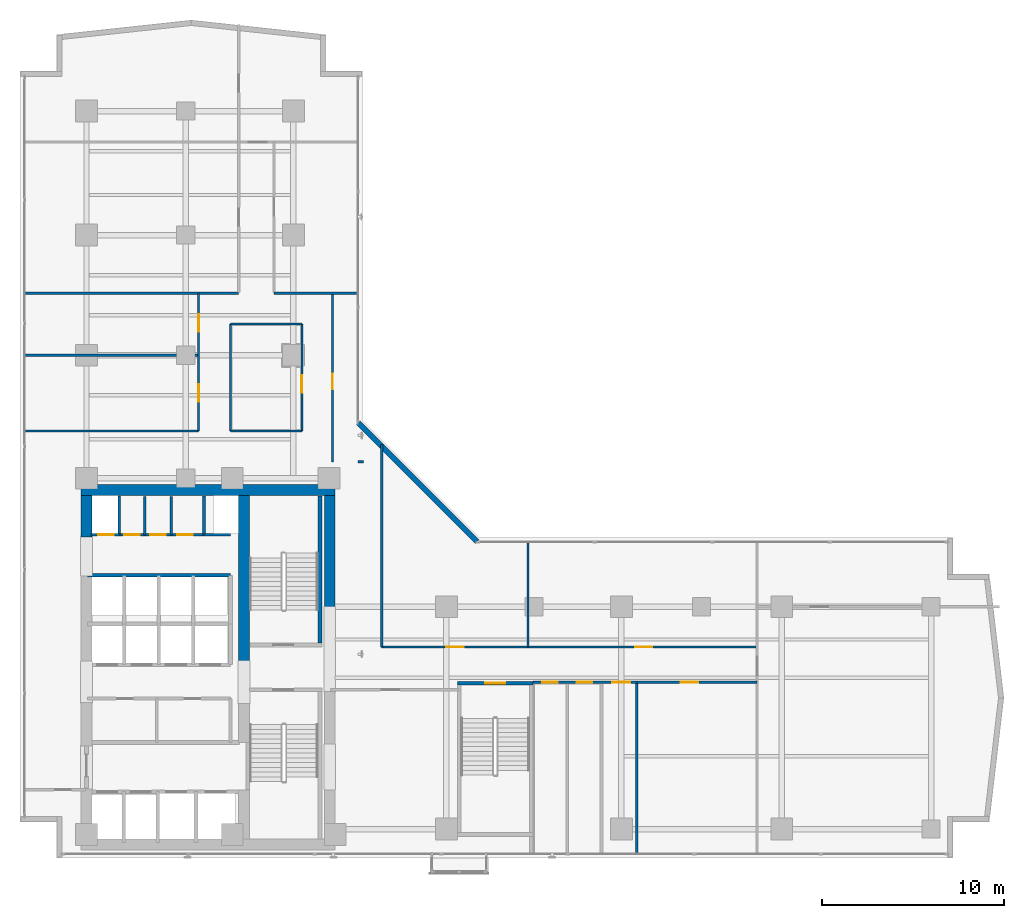
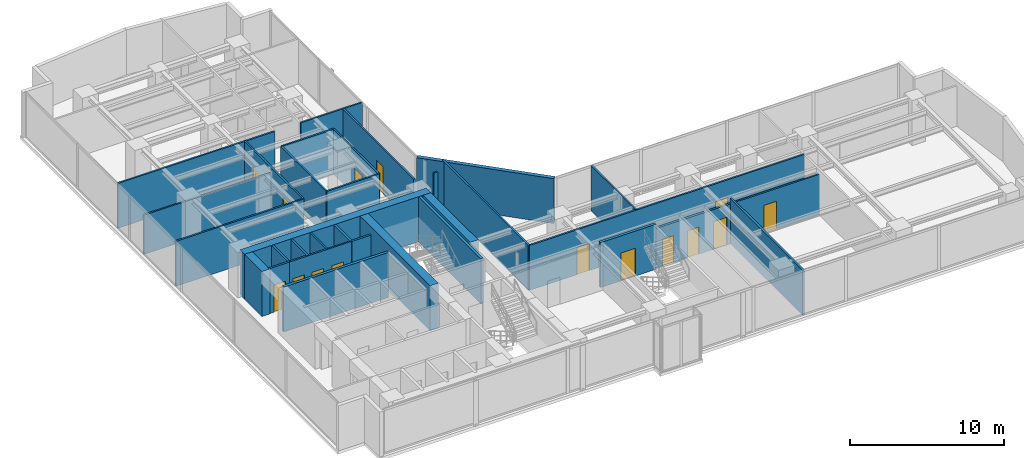
# One storey, part 20 of 24: 32 walls, 15 doors, 15 openings.
"""IFC4 building model written with IfcOpenShell, lengths in metres."""

from ifc_helpers import new_model, si_unit, direction, frame, frame_2d, origin, place, context, subcontext, project, spatial, rectangle, extrude, material, layer, layer_set, type_object, element, fill, save


model = new_model("IFC4")

# Units and contexts
model_context = context("Model", 3, precision=1e-05, world=origin(), true_north=direction((0.0, 1.0)))
body_context = subcontext(model_context, "Body", "Model", "MODEL_VIEW")
ifc_project = project(units=[si_unit("LENGTHUNIT", "METRE"), si_unit("AREAUNIT", "SQUARE_METRE"), si_unit("VOLUMEUNIT", "CUBIC_METRE"), si_unit("PLANEANGLEUNIT", "RADIAN"), si_unit("MASSUNIT", "GRAM", prefix="KILO")], contexts=[model_context])

# Site, building, storey
site_placement = place(None, origin())
site = spatial("IfcSite", under=ifc_project, at=site_placement, CompositionType="ELEMENT")
building_placement = place(site_placement, origin())
building = spatial("IfcBuilding", under=site, at=building_placement, Name="Kolvaren Waterfront Exchange", CompositionType="ELEMENT")
storey_placement = place(building_placement, frame((0.0, 0.0, 169.0)))
storey = spatial("IfcBuildingStorey", under=building, at=storey_placement, Name="L43", CompositionType="ELEMENT", Elevation=169.0)

# Wall
ifc_material_1 = material(Name="Precast concrete C40/50", Category="concrete")
ifc_layer_1 = layer(ifc_material_1, 0.280029296875, Name="Precast concrete C40/50")
ifc_layer_set_1 = layer_set([ifc_layer_1], Name="Precast concrete C40/50")
wall_type_1 = type_object("IfcWallType", Name="ARC-EXT-TERR-280", PredefinedType="SOLIDWALL", material=ifc_layer_set_1)
wall_1_placement = place(storey_placement, frame((28.885009765625, 20.97509765625, 0.0), z_axis=(0.0, 0.0, 1.0), x_axis=(-0.707106781187, 0.707106781187, 0.0)))
element("IfcWall", 1, at=wall_1_placement, inside=storey, type_object=wall_type_1, Name="L43 notched corner spandrel pier ELBOW", PredefinedType="SOLIDWALL", context=body_context, shape_type="SweptSolid", body=[
    extrude(rectangle(XDim=9.20654296875, YDim=0.280029296875, at=frame_2d((4.603271484375, 0.0))), origin(), (0.0, 0.0, 1.0), 3.56005859375),
])

# Wall, openings, doors
ifc_material_2 = material(Name="Acoustic gypsum steel stud", Category="steel")
ifc_layer_2 = layer(ifc_material_2, 0.125, Name="Acoustic gypsum steel stud")
ifc_layer_set_2 = layer_set([ifc_layer_2], Name="Acoustic gypsum steel stud")
wall_type_2 = type_object("IfcWallType", Name="ARC-PART-125", PredefinedType="PARTITIONING", material=ifc_layer_set_2)
wall_2_placement = place(storey_placement, frame((9.25, 21.35009765625, 0.0), z_axis=(0.0, 0.0, 1.0), x_axis=(1.0, 0.0, 0.0)))
wall_2 = element("IfcWall", 2, at=wall_2_placement, inside=storey, type_object=wall_type_2, Name="L43 interior wall PW-L43-SVC-EX-S", PredefinedType="PARTITIONING", context=body_context, shape_type="SweptSolid", body=[
    extrude(rectangle(XDim=4.64990234375, YDim=0.125, at=frame_2d((2.324951171875, 0.0))), origin(), (0.0, 0.0, 1.0), 3.56005859375),
])
opening_1_placement = place(wall_2_placement, frame((0.264892578125, 0.0, 0.0)))
opening_1 = element("IfcOpeningElement", 3, at=opening_1_placement, cuts=wall_2, Name="Opening D01", PredefinedType="OPENING", context=body_context, shape_type="SweptSolid", body=[
    extrude(rectangle(XDim=0.85009765625, YDim=2.14990234375, at=frame_2d((0.425048828125, 1.074951171875))), frame((0.0, 0.072509765625, 0.0), z_axis=(0.0, -1.0, 0.0), x_axis=(1.0, 0.0, 0.0)), (0.0, 0.0, 1.0), 0.14501953125),
])
opening_2_placement = place(wall_2_placement, frame((1.695068359375, 0.0, 0.0)))
opening_2 = element("IfcOpeningElement", 4, at=opening_2_placement, cuts=wall_2, Name="Opening D01", PredefinedType="OPENING", context=body_context, shape_type="SweptSolid", body=[
    extrude(rectangle(XDim=0.85009765625, YDim=2.14990234375, at=frame_2d((0.425048828125, 1.074951171875))), frame((0.0, 0.072509765625, 0.0), z_axis=(0.0, -1.0, 0.0), x_axis=(1.0, 0.0, 0.0)), (0.0, 0.0, 1.0), 0.14501953125),
])
opening_3_placement = place(wall_2_placement, frame((3.18994140625, 0.0, 0.0)))
opening_3 = element("IfcOpeningElement", 5, at=opening_3_placement, cuts=wall_2, Name="Opening D01", PredefinedType="OPENING", context=body_context, shape_type="SweptSolid", body=[
    extrude(rectangle(XDim=0.85009765625, YDim=2.14990234375, at=frame_2d((0.425048828125, 1.074951171875))), frame((0.0, 0.072509765625, 0.0), z_axis=(0.0, -1.0, 0.0), x_axis=(1.0, 0.0, 0.0)), (0.0, 0.0, 1.0), 0.14501953125),
])
ifc_material_3 = material(Name="Oak veneer timber leaf", Category="wood")
door_type_1 = type_object("IfcDoorType", Name="ARC-DR-900", OperationType="NOTDEFINED", PredefinedType="DOOR", material=ifc_material_3)
door_1_placement = place(opening_1_placement, origin())
door_1 = element("IfcDoor", 6, at=door_1_placement, inside=storey, type_object=door_type_1, Name="L43 door DR-L43-SVC-DR-1 (D01)", OperationType="SINGLE_SWING_RIGHT", OverallHeight=2.14990234375, OverallWidth=0.85009765625, PredefinedType="DOOR", context=body_context, shape_type="SweptSolid", body=[
    extrude(rectangle(XDim=0.85009765625, YDim=2.14990234375, at=frame_2d((0.425048828125, 1.074951171875))), frame((0.0, 0.02490234375, 0.0), z_axis=(0.0, -1.0, 0.0), x_axis=(1.0, 0.0, 0.0)), (0.0, 0.0, 1.0), 0.050048828125),
])
fill(opening_1, door_1)
door_2_placement = place(opening_2_placement, origin())
door_2 = element("IfcDoor", 7, at=door_2_placement, inside=storey, type_object=door_type_1, Name="L43 door DR-L43-SVC-DR-2 (D01)", OperationType="SINGLE_SWING_LEFT", OverallHeight=2.14990234375, OverallWidth=0.85009765625, PredefinedType="DOOR", context=body_context, shape_type="SweptSolid", body=[
    extrude(rectangle(XDim=0.85009765625, YDim=2.14990234375, at=frame_2d((0.425048828125, 1.074951171875))), frame((0.0, 0.02490234375, 0.0), z_axis=(0.0, -1.0, 0.0), x_axis=(1.0, 0.0, 0.0)), (0.0, 0.0, 1.0), 0.050048828125),
])
fill(opening_2, door_2)
door_3_placement = place(opening_3_placement, origin())
door_3 = element("IfcDoor", 8, at=door_3_placement, inside=storey, type_object=door_type_1, Name="L43 door DR-L43-SVC-DR-3 (D01)", OperationType="SINGLE_SWING_RIGHT", OverallHeight=2.14990234375, OverallWidth=0.85009765625, PredefinedType="DOOR", context=body_context, shape_type="SweptSolid", body=[
    extrude(rectangle(XDim=0.85009765625, YDim=2.14990234375, at=frame_2d((0.425048828125, 1.074951171875))), frame((0.0, 0.02490234375, 0.0), z_axis=(0.0, -1.0, 0.0), x_axis=(1.0, 0.0, 0.0)), (0.0, 0.0, 1.0), 0.050048828125),
])
fill(opening_3, door_3)

# Walls
for number, where, z_axis, x_axis, name in (
    (9, (10.64990234375, 21.35009765625, 0.0), (0.0, 0.0, 1.0), (0.0, 1.0, 0.0), "L43 interior wall PW-L43-SVC-EX-A"),
    (10, (12.10009765625, 21.35009765625, 0.0), (0.0, 0.0, 1.0), (0.0, 1.0, 0.0), "L43 interior wall PW-L43-SVC-EX-B"),
):
    element("IfcWall", number, at=place(storey_placement, frame(where, z_axis=z_axis, x_axis=x_axis)), inside=storey, type_object=wall_type_2, Name=name, PredefinedType="PARTITIONING", context=body_context, shape_type="SweptSolid", body=[
        extrude(rectangle(XDim=2.099853515625, YDim=0.125, at=frame_2d((1.0498046875, 0.0))), origin(), (0.0, 0.0, 1.0), 3.56005859375),
    ])
for number, where, z_axis, x_axis, name in (
    (11, (15.35009765625, 27.050048828125, 0.0), (0.0, 0.0, 1.0), (1.0, 0.0, 0.0), "L43 interior wall PW-L43-ISL-S"),
    (12, (15.35009765625, 32.919921875, 0.0), (0.0, 0.0, 1.0), (1.0, 0.0, 0.0), "L43 interior wall PW-L43-ISL-N"),
):
    element("IfcWall", number, at=place(storey_placement, frame(where, z_axis=z_axis, x_axis=x_axis)), inside=storey, type_object=wall_type_2, Name=name, PredefinedType="PARTITIONING", context=body_context, shape_type="SweptSolid", body=[
        extrude(rectangle(XDim=3.919921875, YDim=0.125, at=frame_2d((1.9599609375, 0.0))), origin(), (0.0, 0.0, 1.0), 3.56005859375),
    ])
wall_3_placement = place(storey_placement, frame((15.35009765625, 27.050048828125, 0.0), z_axis=(0.0, 0.0, 1.0), x_axis=(0.0, 1.0, 0.0)))
element("IfcWall", 13, at=wall_3_placement, inside=storey, type_object=wall_type_2, Name="L43 interior wall PW-L43-ISL-W", PredefinedType="PARTITIONING", context=body_context, shape_type="SweptSolid", body=[
    extrude(rectangle(XDim=5.869873046875, YDim=0.125, at=frame_2d((2.93505859375, 0.0))), origin(), (0.0, 0.0, 1.0), 3.56005859375),
])

# Wall, opening, door
wall_4_placement = place(storey_placement, frame((19.27001953125, 27.050048828125, 0.0), z_axis=(0.0, 0.0, 1.0), x_axis=(0.0, 1.0, 0.0)))
wall_4 = element("IfcWall", 14, at=wall_4_placement, inside=storey, type_object=wall_type_2, Name="L43 interior wall PW-L43-ISL-E", PredefinedType="PARTITIONING", context=body_context, shape_type="SweptSolid", body=[
    extrude(rectangle(XDim=5.869873046875, YDim=0.125, at=frame_2d((2.93505859375, 0.0))), origin(), (0.0, 0.0, 1.0), 3.56005859375),
])
opening_4_placement = place(wall_4_placement, frame((2.106201171875, 0.0, 0.0)))
opening_4 = element("IfcOpeningElement", 15, at=opening_4_placement, cuts=wall_4, Name="Opening D02", PredefinedType="OPENING", context=body_context, shape_type="SweptSolid", body=[
    extrude(rectangle(XDim=0.949951171875, YDim=2.14990234375, at=frame_2d((0.47509765625, 1.074951171875))), frame((0.0, 0.072509765625, 0.0), z_axis=(0.0, -1.0, 0.0), x_axis=(1.0, 0.0, 0.0)), (0.0, 0.0, 1.0), 0.14501953125),
])
ifc_material_4 = material(Name="Oak veneer acoustic timber", Category="wood")
door_type_2 = type_object("IfcDoorType", Name="ARC-DR-950", OperationType="NOTDEFINED", PredefinedType="DOOR", material=ifc_material_4)
door_4_placement = place(opening_4_placement, origin())
door_4 = element("IfcDoor", 16, at=door_4_placement, inside=storey, type_object=door_type_2, Name="L43 door DR-L43-ISL-D (D02)", OperationType="SINGLE_SWING_LEFT", OverallHeight=2.14990234375, OverallWidth=0.949951171875, PredefinedType="DOOR", context=body_context, shape_type="SweptSolid", body=[
    extrude(rectangle(XDim=0.949951171875, YDim=2.14990234375, at=frame_2d((0.47509765625, 1.074951171875))), frame((0.0, 0.02490234375, 0.0), z_axis=(0.0, -1.0, 0.0), x_axis=(1.0, 0.0, 0.0)), (0.0, 0.0, 1.0), 0.050048828125),
])
fill(opening_4, door_4)

# Wall, openings, doors
wall_5_placement = place(storey_placement, frame((13.60009765625, 27.050048828125, 0.0), z_axis=(0.0, 0.0, 1.0), x_axis=(0.0, 1.0, 0.0)))
wall_5 = element("IfcWall", 17, at=wall_5_placement, inside=storey, type_object=wall_type_2, Name="L43 interior wall PW-L43-MWL-E", PredefinedType="PARTITIONING", context=body_context, shape_type="SweptSolid", body=[
    extrude(rectangle(XDim=7.550048828125, YDim=0.125, at=frame_2d((3.77490234375, 0.0))), origin(), (0.0, 0.0, 1.0), 3.56005859375),
])
opening_5_placement = place(wall_5_placement, frame((1.60009765625, 0.0, 0.0)))
opening_5 = element("IfcOpeningElement", 18, at=opening_5_placement, cuts=wall_5, Name="Opening D02", PredefinedType="OPENING", context=body_context, shape_type="SweptSolid", body=[
    extrude(rectangle(XDim=0.949951171875, YDim=2.14990234375, at=frame_2d((0.47509765625, 1.074951171875))), frame((0.0, 0.072509765625, 0.0), z_axis=(0.0, -1.0, 0.0), x_axis=(1.0, 0.0, 0.0)), (0.0, 0.0, 1.0), 0.14501953125),
])
opening_6_placement = place(wall_5_placement, frame((5.445556640625, 0.0, 0.0)))
opening_6 = element("IfcOpeningElement", 19, at=opening_6_placement, cuts=wall_5, Name="Opening D02", PredefinedType="OPENING", context=body_context, shape_type="SweptSolid", body=[
    extrude(rectangle(XDim=0.949951171875, YDim=2.14990234375, at=frame_2d((0.47509765625, 1.074951171875))), frame((0.0, 0.072509765625, 0.0), z_axis=(0.0, -1.0, 0.0), x_axis=(1.0, 0.0, 0.0)), (0.0, 0.0, 1.0), 0.14501953125),
])
door_5_placement = place(opening_5_placement, origin())
door_5 = element("IfcDoor", 20, at=door_5_placement, inside=storey, type_object=door_type_2, Name="L43 door DR-L43-MWL1A-D (D02)", OperationType="SINGLE_SWING_LEFT", OverallHeight=2.14990234375, OverallWidth=0.949951171875, PredefinedType="DOOR", context=body_context, shape_type="SweptSolid", body=[
    extrude(rectangle(XDim=0.949951171875, YDim=2.14990234375, at=frame_2d((0.47509765625, 1.074951171875))), frame((0.0, 0.02490234375, 0.0), z_axis=(0.0, -1.0, 0.0), x_axis=(1.0, 0.0, 0.0)), (0.0, 0.0, 1.0), 0.050048828125),
])
fill(opening_5, door_5)
door_6_placement = place(opening_6_placement, origin())
door_6 = element("IfcDoor", 21, at=door_6_placement, inside=storey, type_object=door_type_2, Name="L43 door DR-L43-MWL1B-D (D02)", OperationType="SINGLE_SWING_RIGHT", OverallHeight=2.14990234375, OverallWidth=0.949951171875, PredefinedType="DOOR", context=body_context, shape_type="SweptSolid", body=[
    extrude(rectangle(XDim=0.949951171875, YDim=2.14990234375, at=frame_2d((0.47509765625, 1.074951171875))), frame((0.0, 0.02490234375, 0.0), z_axis=(0.0, -1.0, 0.0), x_axis=(1.0, 0.0, 0.0)), (0.0, 0.0, 1.0), 0.050048828125),
])
fill(opening_6, door_6)

# Walls
wall_6_placement = place(storey_placement, frame((4.0400390625, 27.050048828125, 0.0), z_axis=(0.0, 0.0, 1.0), x_axis=(1.0, 0.0, 0.0)))
element("IfcWall", 22, at=wall_6_placement, inside=storey, type_object=wall_type_2, Name="L43 interior wall PW-L43-MWL-S", PredefinedType="PARTITIONING", context=body_context, shape_type="SweptSolid", body=[
    extrude(rectangle(XDim=9.56005859375, YDim=0.125, at=frame_2d((4.780029296875, 0.0))), origin(), (0.0, 0.0, 1.0), 3.56005859375),
])
wall_7_placement = place(storey_placement, frame((4.0400390625, 34.60009765625, 0.0), z_axis=(0.0, 0.0, 1.0), x_axis=(1.0, 0.0, 0.0)))
element("IfcWall", 23, at=wall_7_placement, inside=storey, type_object=wall_type_2, Name="L43 interior wall PW-L43-MWL-N", PredefinedType="PARTITIONING", context=body_context, shape_type="SweptSolid", body=[
    extrude(rectangle(XDim=11.760009765625, YDim=0.125, at=frame_2d((5.8798828125, 0.0))), origin(), (0.0, 0.0, 1.0), 3.56005859375),
])
wall_8_placement = place(storey_placement, frame((4.0400390625, 31.199951171875, 0.0), z_axis=(0.0, 0.0, 1.0), x_axis=(1.0, 0.0, 0.0)))
element("IfcWall", 24, at=wall_8_placement, inside=storey, type_object=wall_type_2, Name="L43 interior wall PW-L43-MWL-M", PredefinedType="PARTITIONING", context=body_context, shape_type="SweptSolid", body=[
    extrude(rectangle(XDim=9.56005859375, YDim=0.125, at=frame_2d((4.780029296875, 0.0))), origin(), (0.0, 0.0, 1.0), 3.110107421875),
])

# Wall, opening, door
wall_9_placement = place(storey_placement, frame((20.949951171875, 25.35009765625, 0.0), z_axis=(0.0, 0.0, 1.0), x_axis=(0.0, 1.0, 0.0)))
wall_9 = element("IfcWall", 25, at=wall_9_placement, inside=storey, type_object=wall_type_2, Name="L43 interior wall PW-L43-RFLANK-W", PredefinedType="PARTITIONING", context=body_context, shape_type="SweptSolid", body=[
    extrude(rectangle(XDim=9.25, YDim=0.125, at=frame_2d((4.625, 0.0))), origin(), (0.0, 0.0, 1.0), 3.56005859375),
])
opening_7_placement = place(wall_9_placement, frame((3.97314453125, 0.0, 0.0)))
opening_7 = element("IfcOpeningElement", 26, at=opening_7_placement, cuts=wall_9, Name="Opening D01", PredefinedType="OPENING", context=body_context, shape_type="SweptSolid", body=[
    extrude(rectangle(XDim=0.85009765625, YDim=2.14990234375, at=frame_2d((0.425048828125, 1.074951171875))), frame((0.0, 0.072509765625, 0.0), z_axis=(0.0, -1.0, 0.0), x_axis=(1.0, 0.0, 0.0)), (0.0, 0.0, 1.0), 0.14501953125),
])
door_7_placement = place(opening_7_placement, origin())
door_7 = element("IfcDoor", 27, at=door_7_placement, inside=storey, type_object=door_type_1, Name="L43 door DR-L43-RFLANK-D (D01)", OperationType="SINGLE_SWING_LEFT", OverallHeight=2.14990234375, OverallWidth=0.85009765625, PredefinedType="DOOR", context=body_context, shape_type="SweptSolid", body=[
    extrude(rectangle(XDim=0.85009765625, YDim=2.14990234375, at=frame_2d((0.425048828125, 1.074951171875))), frame((0.0, 0.02490234375, 0.0), z_axis=(0.0, -1.0, 0.0), x_axis=(1.0, 0.0, 0.0)), (0.0, 0.0, 1.0), 0.050048828125),
])
fill(opening_7, door_7)

# Walls
wall_10_placement = place(storey_placement, frame((22.64990234375, 25.35009765625, 0.0), z_axis=(0.0, 0.0, 1.0), x_axis=(-1.0, 0.0, 0.0)))
element("IfcWall", 28, at=wall_10_placement, inside=storey, type_object=wall_type_2, Name="L43 interior wall PW-L43-RFLANK-S", PredefinedType="PARTITIONING", context=body_context, shape_type="SweptSolid", body=[
    extrude(rectangle(XDim=0.289794921875, YDim=0.125, at=frame_2d((0.14501953125, 0.0))), origin(), (0.0, 0.0, 1.0), 3.56005859375),
])
wall_11_placement = place(storey_placement, frame((17.739990234375, 34.60009765625, 0.0), z_axis=(0.0, 0.0, 1.0), x_axis=(1.0, 0.0, 0.0)))
element("IfcWall", 29, at=wall_11_placement, inside=storey, type_object=wall_type_2, Name="L43 interior wall PW-L43-RFLANK-N", PredefinedType="PARTITIONING", context=body_context, shape_type="SweptSolid", body=[
    extrude(rectangle(XDim=4.6201171875, YDim=0.125, at=frame_2d((2.31005859375, 0.0))), origin(), (0.0, 0.0, 1.0), 3.56005859375),
])

# Wall, opening, door
wall_12_placement = place(storey_placement, frame((37.64990234375, 13.25, 0.0), z_axis=(0.0, 0.0, 1.0), x_axis=(1.0, 0.0, 0.0)))
wall_12 = element("IfcWall", 30, at=wall_12_placement, inside=storey, type_object=wall_type_2, Name="L43 interior wall PW-L43-ES-CORR", PredefinedType="PARTITIONING", context=body_context, shape_type="SweptSolid", body=[
    extrude(rectangle(XDim=6.60009765625, YDim=0.125, at=frame_2d((3.300048828125, 0.0))), origin(), (0.0, 0.0, 1.0), 3.159912109375),
])
opening_8_placement = place(wall_12_placement, frame((2.422119140625, 0.0, 0.0)))
opening_8 = element("IfcOpeningElement", 31, at=opening_8_placement, cuts=wall_12, Name="Opening D02", PredefinedType="OPENING", context=body_context, shape_type="SweptSolid", body=[
    extrude(rectangle(XDim=0.949951171875, YDim=2.14990234375, at=frame_2d((0.47509765625, 1.074951171875))), frame((0.0, 0.072509765625, 0.0), z_axis=(0.0, -1.0, 0.0), x_axis=(1.0, 0.0, 0.0)), (0.0, 0.0, 1.0), 0.14501953125),
])
door_8_placement = place(opening_8_placement, origin())
door_8 = element("IfcDoor", 32, at=door_8_placement, inside=storey, type_object=door_type_2, Name="L43 door DR-L43-ES-D-1 (D02)", OperationType="SINGLE_SWING_RIGHT", OverallHeight=2.14990234375, OverallWidth=0.949951171875, PredefinedType="DOOR", context=body_context, shape_type="SweptSolid", body=[
    extrude(rectangle(XDim=0.949951171875, YDim=2.14990234375, at=frame_2d((0.47509765625, 1.074951171875))), frame((0.0, 0.02490234375, 0.0), z_axis=(0.0, -1.0, 0.0), x_axis=(1.0, 0.0, 0.0)), (0.0, 0.0, 1.0), 0.050048828125),
])
fill(opening_8, door_8)

# Wall
wall_13_placement = place(storey_placement, frame((23.64990234375, 15.18994140625, 0.0), z_axis=(0.0, 0.0, 1.0), x_axis=(0.0, 1.0, 0.0)))
element("IfcWall", 33, at=wall_13_placement, inside=storey, type_object=wall_type_2, Name="L43 interior wall PW-L43-EN-W0", PredefinedType="PARTITIONING", context=body_context, shape_type="SweptSolid", body=[
    extrude(rectangle(XDim=11.1201171875, YDim=0.125, at=frame_2d((5.56005859375, 0.0))), origin(), (0.0, 0.0, 1.0), 3.56005859375),
])

# Wall, openings, doors
wall_14_placement = place(storey_placement, frame((23.64990234375, 15.18994140625, 0.0), z_axis=(0.0, 0.0, 1.0), x_axis=(1.0, 0.0, 0.0)))
wall_14 = element("IfcWall", 34, at=wall_14_placement, inside=storey, type_object=wall_type_2, Name="L43 interior wall PW-L43-EN-CORR", PredefinedType="PARTITIONING", context=body_context, shape_type="SweptSolid", body=[
    extrude(rectangle(XDim=20.60009765625, YDim=0.125, at=frame_2d((10.300048828125, 0.0))), origin(), (0.0, 0.0, 1.0), 3.56005859375),
])
opening_9_placement = place(wall_14_placement, frame((3.5400390625, 0.0, 0.0)))
opening_9 = element("IfcOpeningElement", 35, at=opening_9_placement, cuts=wall_14, Name="Opening D02", PredefinedType="OPENING", context=body_context, shape_type="SweptSolid", body=[
    extrude(rectangle(XDim=0.949951171875, YDim=2.14990234375, at=frame_2d((0.47509765625, 1.074951171875))), frame((0.0, 0.072509765625, 0.0), z_axis=(0.0, -1.0, 0.0), x_axis=(1.0, 0.0, 0.0)), (0.0, 0.0, 1.0), 0.14501953125),
])
opening_10_placement = place(wall_14_placement, frame((13.910400390625, 0.0, 0.0)))
opening_10 = element("IfcOpeningElement", 36, at=opening_10_placement, cuts=wall_14, Name="Opening D02", PredefinedType="OPENING", context=body_context, shape_type="SweptSolid", body=[
    extrude(rectangle(XDim=0.949951171875, YDim=2.14990234375, at=frame_2d((0.47509765625, 1.074951171875))), frame((0.0, 0.072509765625, 0.0), z_axis=(0.0, -1.0, 0.0), x_axis=(1.0, 0.0, 0.0)), (0.0, 0.0, 1.0), 0.14501953125),
])
door_9_placement = place(opening_9_placement, origin())
door_9 = element("IfcDoor", 37, at=door_9_placement, inside=storey, type_object=door_type_2, Name="L43 door DR-L43-EN-D-1 (D02)", OperationType="SINGLE_SWING_LEFT", OverallHeight=2.14990234375, OverallWidth=0.949951171875, PredefinedType="DOOR", context=body_context, shape_type="SweptSolid", body=[
    extrude(rectangle(XDim=0.949951171875, YDim=2.14990234375, at=frame_2d((0.47509765625, 1.074951171875))), frame((0.0, 0.02490234375, 0.0), z_axis=(0.0, -1.0, 0.0), x_axis=(1.0, 0.0, 0.0)), (0.0, 0.0, 1.0), 0.050048828125),
])
fill(opening_9, door_9)
door_10_placement = place(opening_10_placement, origin())
door_10 = element("IfcDoor", 38, at=door_10_placement, inside=storey, type_object=door_type_2, Name="L43 door DR-L43-EN-D-2 (D02)", OperationType="SINGLE_SWING_RIGHT", OverallHeight=2.14990234375, OverallWidth=0.949951171875, PredefinedType="DOOR", context=body_context, shape_type="SweptSolid", body=[
    extrude(rectangle(XDim=0.949951171875, YDim=2.14990234375, at=frame_2d((0.47509765625, 1.074951171875))), frame((0.0, 0.02490234375, 0.0), z_axis=(0.0, -1.0, 0.0), x_axis=(1.0, 0.0, 0.0)), (0.0, 0.0, 1.0), 0.050048828125),
])
fill(opening_10, door_10)

# Walls
wall_15_placement = place(storey_placement, frame((31.679931640625, 15.18994140625, 0.0), z_axis=(0.0, 0.0, 1.0), x_axis=(0.0, 1.0, 0.0)))
element("IfcWall", 39, at=wall_15_placement, inside=storey, type_object=wall_type_2, Name="L43 interior wall PW-L43-EN-DIV-1", PredefinedType="PARTITIONING", context=body_context, shape_type="SweptSolid", body=[
    extrude(rectangle(XDim=5.77001953125, YDim=0.125, at=frame_2d((2.885009765625, 0.0))), origin(), (0.0, 0.0, 1.0), 3.56005859375),
])
ifc_material_5 = material(Name="Gypsum fireboard steel stud", Category="steel")
ifc_layer_3 = layer(ifc_material_5, 0.14990234375, Name="Gypsum fireboard steel stud")
ifc_layer_set_3 = layer_set([ifc_layer_3], Name="Gypsum fireboard steel stud")
wall_type_3 = type_object("IfcWallType", Name="ARC-PART-150", PredefinedType="PARTITIONING", material=ifc_layer_set_3)
for number, where, z_axis, x_axis, name in (
    (40, (9.25, 21.35009765625, 0.0), (0.0, 0.0, 1.0), (0.0, 1.0, 0.0), "L43 interior wall PW-L43-SVC-R1"),
    (41, (13.89990234375, 21.35009765625, 0.0), (0.0, 0.0, 1.0), (0.0, 1.0, 0.0), "L43 interior wall PW-L43-SVC-R2"),
):
    element("IfcWall", number, at=place(storey_placement, frame(where, z_axis=z_axis, x_axis=x_axis)), inside=storey, type_object=wall_type_3, Name=name, PredefinedType="PARTITIONING", context=body_context, shape_type="SweptSolid", body=[
        extrude(rectangle(XDim=2.1298828125, YDim=0.14990234375, at=frame_2d((1.06494140625, 0.0))), origin(), (0.0, 0.0, 1.0), 3.56005859375),
    ])

# Wall, opening, door
wall_16_placement = place(storey_placement, frame((7.699951171875, 21.35009765625, 0.0), z_axis=(0.0, 0.0, 1.0), x_axis=(1.0, 0.0, 0.0)))
wall_16 = element("IfcWall", 42, at=wall_16_placement, inside=storey, type_object=wall_type_3, Name="L43 interior wall PW-L43-SVC-RE-S", PredefinedType="PARTITIONING", context=body_context, shape_type="SweptSolid", body=[
    extrude(rectangle(XDim=1.550048828125, YDim=0.14990234375, at=frame_2d((0.77490234375, 0.0))), origin(), (0.0, 0.0, 1.0), 3.56005859375),
])
opening_11_placement = place(wall_16_placement, frame((0.389892578125, 0.0, 0.0)))
opening_11 = element("IfcOpeningElement", 43, at=opening_11_placement, cuts=wall_16, Name="Opening FD1", PredefinedType="OPENING", context=body_context, shape_type="SweptSolid", body=[
    extrude(rectangle(XDim=0.85009765625, YDim=2.14990234375, at=frame_2d((0.425048828125, 1.074951171875))), frame((0.0, 0.0849609375, 0.0), z_axis=(0.0, -1.0, 0.0), x_axis=(1.0, 0.0, 0.0)), (0.0, 0.0, 1.0), 0.169921875),
])
ifc_material_6 = material(Name="Pressed steel fire leaf", Category="steel")
door_type_3 = type_object("IfcDoorType", Name="ARC-FD-900", OperationType="NOTDEFINED", PredefinedType="DOOR", material=ifc_material_6)
door_11_placement = place(opening_11_placement, origin())
door_11 = element("IfcDoor", 44, at=door_11_placement, inside=storey, type_object=door_type_3, Name="L43 door DR-L43-RISER-E-DR (FD1)", OperationType="SINGLE_SWING_LEFT", OverallHeight=2.14990234375, OverallWidth=0.85009765625, PredefinedType="DOOR", context=body_context, shape_type="SweptSolid", body=[
    extrude(rectangle(XDim=0.85009765625, YDim=2.14990234375, at=frame_2d((0.425048828125, 1.074951171875))), frame((0.0, 0.02490234375, 0.0), z_axis=(0.0, -1.0, 0.0), x_axis=(1.0, 0.0, 0.0)), (0.0, 0.0, 1.0), 0.050048828125),
])
fill(opening_11, door_11)

# Wall
wall_17_placement = place(storey_placement, frame((13.89990234375, 21.35009765625, 0.0), z_axis=(0.0, 0.0, 1.0), x_axis=(1.0, 0.0, 0.0)))
element("IfcWall", 45, at=wall_17_placement, inside=storey, type_object=wall_type_3, Name="L43 interior wall PW-L43-SVC-RP-S", PredefinedType="PARTITIONING", context=body_context, shape_type="SweptSolid", body=[
    extrude(rectangle(XDim=1.4501953125, YDim=0.14990234375, at=frame_2d((0.72509765625, 0.0))), origin(), (0.0, 0.0, 1.0), 3.56005859375),
])

# Wall, openings, doors
ifc_material_7 = material(Name="Moisture-resistant gypsum stud")
ifc_layer_4 = layer(ifc_material_7, 0.14990234375, Name="Moisture-resistant gypsum stud")
ifc_layer_set_4 = layer_set([ifc_layer_4], Name="Moisture-resistant gypsum stud")
wall_type_4 = type_object("IfcWallType", Name="ARC-PLUMB-150", PredefinedType="PLUMBINGWALL", material=ifc_layer_set_4)
wall_18_placement = place(storey_placement, frame((31.949951171875, 13.25, 0.0), z_axis=(0.0, 0.0, 1.0), x_axis=(1.0, 0.0, 0.0)))
wall_18 = element("IfcWall", 46, at=wall_18_placement, inside=storey, type_object=wall_type_4, Name="L43 interior wall PW-L43-WC-N", PredefinedType="PLUMBINGWALL", context=body_context, shape_type="SweptSolid", body=[
    extrude(rectangle(XDim=5.699951171875, YDim=0.14990234375, at=frame_2d((2.85009765625, 0.0))), origin(), (0.0, 0.0, 1.0), 3.159912109375),
])
opening_12_placement = place(wall_18_placement, frame((0.514892578125, 0.0, 0.0)))
opening_12 = element("IfcOpeningElement", 47, at=opening_12_placement, cuts=wall_18, Name="Opening D01", PredefinedType="OPENING", context=body_context, shape_type="SweptSolid", body=[
    extrude(rectangle(XDim=0.85009765625, YDim=2.14990234375, at=frame_2d((0.425048828125, 1.074951171875))), frame((0.0, 0.0849609375, 0.0), z_axis=(0.0, -1.0, 0.0), x_axis=(1.0, 0.0, 0.0)), (0.0, 0.0, 1.0), 0.169921875),
])
opening_13_placement = place(wall_18_placement, frame((2.39501953125, 0.0, 0.0)))
opening_13 = element("IfcOpeningElement", 48, at=opening_13_placement, cuts=wall_18, Name="Opening D01", PredefinedType="OPENING", context=body_context, shape_type="SweptSolid", body=[
    extrude(rectangle(XDim=0.85009765625, YDim=2.14990234375, at=frame_2d((0.425048828125, 1.074951171875))), frame((0.0, 0.0849609375, 0.0), z_axis=(0.0, -1.0, 0.0), x_axis=(1.0, 0.0, 0.0)), (0.0, 0.0, 1.0), 0.169921875),
])
opening_14_placement = place(wall_18_placement, frame((4.35009765625, 0.0, 0.0)))
opening_14 = element("IfcOpeningElement", 49, at=opening_14_placement, cuts=wall_18, Name="Opening D03", PredefinedType="OPENING", context=body_context, shape_type="SweptSolid", body=[
    extrude(rectangle(XDim=1.0, YDim=2.199951171875, at=frame_2d((0.5, 1.10009765625))), frame((0.0, 0.0849609375, 0.0), z_axis=(0.0, -1.0, 0.0), x_axis=(1.0, 0.0, 0.0)), (0.0, 0.0, 1.0), 0.169921875),
])
ifc_material_8 = material(Name="Oak veneer accessible timber", Category="wood")
door_type_4 = type_object("IfcDoorType", Name="ARC-DR-1000", OperationType="NOTDEFINED", PredefinedType="DOOR", material=ifc_material_8)
door_12_placement = place(opening_14_placement, origin())
door_12 = element("IfcDoor", 50, at=door_12_placement, inside=storey, type_object=door_type_4, Name="L43 door DR-L43-WCA-D (D03)", OperationType="SINGLE_SWING_RIGHT", OverallHeight=2.199951171875, OverallWidth=1.0, PredefinedType="DOOR", context=body_context, shape_type="SweptSolid", body=[
    extrude(rectangle(XDim=1.0, YDim=2.199951171875, at=frame_2d((0.5, 1.10009765625))), frame((0.0, 0.02490234375, 0.0), z_axis=(0.0, -1.0, 0.0), x_axis=(1.0, 0.0, 0.0)), (0.0, 0.0, 1.0), 0.050048828125),
])
fill(opening_14, door_12)
door_13_placement = place(opening_12_placement, origin())
door_13 = element("IfcDoor", 51, at=door_13_placement, inside=storey, type_object=door_type_1, Name="L43 door DR-L43-WCM-D (D01)", OperationType="SINGLE_SWING_RIGHT", OverallHeight=2.14990234375, OverallWidth=0.85009765625, PredefinedType="DOOR", context=body_context, shape_type="SweptSolid", body=[
    extrude(rectangle(XDim=0.85009765625, YDim=2.14990234375, at=frame_2d((0.425048828125, 1.074951171875))), frame((0.0, 0.02490234375, 0.0), z_axis=(0.0, -1.0, 0.0), x_axis=(1.0, 0.0, 0.0)), (0.0, 0.0, 1.0), 0.050048828125),
])
fill(opening_12, door_13)
door_14_placement = place(opening_13_placement, origin())
door_14 = element("IfcDoor", 52, at=door_14_placement, inside=storey, type_object=door_type_1, Name="L43 door DR-L43-WCF-D (D01)", OperationType="SINGLE_SWING_LEFT", OverallHeight=2.14990234375, OverallWidth=0.85009765625, PredefinedType="DOOR", context=body_context, shape_type="SweptSolid", body=[
    extrude(rectangle(XDim=0.85009765625, YDim=2.14990234375, at=frame_2d((0.425048828125, 1.074951171875))), frame((0.0, 0.02490234375, 0.0), z_axis=(0.0, -1.0, 0.0), x_axis=(1.0, 0.0, 0.0)), (0.0, 0.0, 1.0), 0.050048828125),
])
fill(opening_13, door_14)

# Walls
wall_19_placement = place(storey_placement, frame((37.64990234375, 3.840087890625, 0.0), z_axis=(0.0, 0.0, 1.0), x_axis=(0.0, 1.0, 0.0)))
element("IfcWall", 53, at=wall_19_placement, inside=storey, type_object=wall_type_4, Name="L43 interior wall PW-L43-WC-3", PredefinedType="PLUMBINGWALL", context=body_context, shape_type="SweptSolid", body=[
    extrude(rectangle(XDim=9.409912109375, YDim=0.14990234375, at=frame_2d((4.705078125, 0.0))), origin(), (0.0, 0.0, 1.0), 3.56005859375),
])
ifc_material_9 = material(Name="Concrete C40/50", Category="concrete")
ifc_layer_5 = layer(ifc_material_9, 0.199951171875, Name="Concrete C40/50")
ifc_layer_set_5 = layer_set([ifc_layer_5], Name="Concrete C40/50")
wall_type_5 = type_object("IfcWallType", Name="ARC-SHAFT-200", PredefinedType="PARTITIONING", material=ifc_layer_set_5)
wall_20_placement = place(storey_placement, frame((20.260009765625, 15.39990234375, 0.0), z_axis=(0.0, 0.0, 1.0), x_axis=(0.0, 1.0, 0.0)))
element("IfcWall", 54, at=wall_20_placement, inside=storey, type_object=wall_type_5, Name="L43 structural stairwell wall PW-L43-ST2-E", PredefinedType="SHEAR", context=body_context, shape_type="SweptSolid", body=[
    extrude(rectangle(XDim=8.090087890625, YDim=0.199951171875, at=frame_2d((4.044921875, 0.0))), origin(), (0.0, 0.0, 1.0), 3.56005859375),
])

# Wall, opening, door
wall_21_placement = place(storey_placement, frame((27.800048828125, 13.199951171875, 0.0), z_axis=(0.0, 0.0, 1.0), x_axis=(1.0, 0.0, 0.0)))
wall_21 = element("IfcWall", 55, at=wall_21_placement, inside=storey, type_object=wall_type_5, Name="L43 structural stairwell wall PW-L43-ST3-N", PredefinedType="SHEAR", context=body_context, shape_type="SweptSolid", body=[
    extrude(rectangle(XDim=4.159912109375, YDim=0.199951171875, at=frame_2d((2.080078125, 0.0))), origin(), (0.0, 0.0, 1.0), 3.56005859375),
])
opening_15_placement = place(wall_21_placement, frame((1.530029296875, 0.0, 0.0)))
opening_15 = element("IfcOpeningElement", 56, at=opening_15_placement, cuts=wall_21, Name="Opening FD2", PredefinedType="OPENING", context=body_context, shape_type="SweptSolid", body=[
    extrude(rectangle(XDim=1.10009765625, YDim=2.199951171875, at=frame_2d((0.550048828125, 1.10009765625))), frame((0.0, 0.10986328125, 0.0), z_axis=(0.0, -1.0, 0.0), x_axis=(1.0, 0.0, 0.0)), (0.0, 0.0, 1.0), 0.219970703125),
])
ifc_material_10 = material(Name="Pressed steel smoke-seal fire door", Category="steel")
door_type_5 = type_object("IfcDoorType", Name="ARC-FD-1100", OperationType="NOTDEFINED", PredefinedType="DOOR", material=ifc_material_10)
door_15_placement = place(opening_15_placement, frame((1.10009765625, 0.0, 0.0), z_axis=(0.0, 0.0, 1.0), x_axis=(-1.0, 0.0, 0.0)))
door_15 = element("IfcDoor", 57, at=door_15_placement, inside=storey, type_object=door_type_5, Name="L43 door DR-L43-ST3-IN (FD2)", OperationType="SINGLE_SWING_LEFT", OverallHeight=2.199951171875, OverallWidth=1.10009765625, PredefinedType="DOOR", context=body_context, shape_type="SweptSolid", body=[
    extrude(rectangle(XDim=1.10009765625, YDim=2.199951171875, at=frame_2d((0.550048828125, 1.10009765625))), frame((0.0, 0.02490234375, 0.0), z_axis=(0.0, -1.0, 0.0), x_axis=(1.0, 0.0, 0.0)), (0.0, 0.0, 1.0), 0.050048828125),
])
fill(opening_15, door_15)

# Walls
wall_22_placement = place(storey_placement, frame((7.5, 19.1201171875, 0.0), z_axis=(0.0, 0.0, 1.0), x_axis=(1.0, 0.0, 0.0)))
element("IfcWall", 58, at=wall_22_placement, inside=storey, type_object=wall_type_5, Name="L43 interior wall PW-L43-PH-N", PredefinedType="PARTITIONING", context=body_context, shape_type="SweptSolid", body=[
    extrude(rectangle(XDim=7.85009765625, YDim=0.199951171875, at=frame_2d((3.925048828125, 0.0))), origin(), (0.0, 0.0, 1.0), 3.56005859375),
])
ifc_material_11 = material(Name="Concrete C60/75", Category="concrete")
ifc_layer_6 = layer(ifc_material_11, 0.60009765625, Name="Concrete C60/75")
ifc_layer_set_6 = layer_set([ifc_layer_6], Name="Concrete C60/75")
wall_type_6 = type_object("IfcWallType", Name="STR-CWALL-600", PredefinedType="SHEAR", material=ifc_layer_set_6)
wall_23_placement = place(storey_placement, frame((7.14990234375, 23.800048828125, 0.0), z_axis=(0.0, 0.0, 1.0), x_axis=(1.0, 0.0, 0.0)))
element("IfcWall", 59, at=wall_23_placement, inside=storey, type_object=wall_type_6, Name="L43 rear-core shear wall N", PredefinedType="SHEAR", context=body_context, shape_type="SweptSolid", body=[
    extrude(rectangle(XDim=13.9501953125, YDim=0.60009765625, at=frame_2d((6.97509765625, 0.0))), origin(), (0.0, 0.0, 1.0), 3.56005859375),
])
wall_24_placement = place(storey_placement, frame((7.449951171875, 21.239990234375, 0.0), z_axis=(0.0, 0.0, 1.0), x_axis=(0.0, 1.0, 0.0)))
element("IfcWall", 60, at=wall_24_placement, inside=storey, type_object=wall_type_6, Name="L43 rear-core shear wall W3", PredefinedType="SHEAR", context=body_context, shape_type="SweptSolid", body=[
    extrude(rectangle(XDim=2.260009765625, YDim=0.60009765625, at=frame_2d((1.1298828125, 0.0))), origin(), (0.0, 0.0, 1.0), 3.56005859375),
])
wall_25_placement = place(storey_placement, frame((20.800048828125, 17.35009765625, 0.0), z_axis=(0.0, 0.0, 1.0), x_axis=(0.0, 1.0, 0.0)))
element("IfcWall", 61, at=wall_25_placement, inside=storey, type_object=wall_type_6, Name="L43 rear-core shear wall E3", PredefinedType="SHEAR", context=body_context, shape_type="SweptSolid", body=[
    extrude(rectangle(XDim=6.14990234375, YDim=0.60009765625, at=frame_2d((3.074951171875, 0.0))), origin(), (0.0, 0.0, 1.0), 3.56005859375),
])
wall_26_placement = place(storey_placement, frame((16.10009765625, 14.39990234375, 0.0), z_axis=(0.0, 0.0, 1.0), x_axis=(0.0, 1.0, 0.0)))
element("IfcWall", 62, at=wall_26_placement, inside=storey, type_object=wall_type_6, Name="L43 rear-core shear wall M3", PredefinedType="SHEAR", context=body_context, shape_type="SweptSolid", body=[
    extrude(rectangle(XDim=9.10009765625, YDim=0.60009765625, at=frame_2d((4.550048828125, 0.0))), origin(), (0.0, 0.0, 1.0), 3.56005859375),
])

save(model, "model.ifc")
